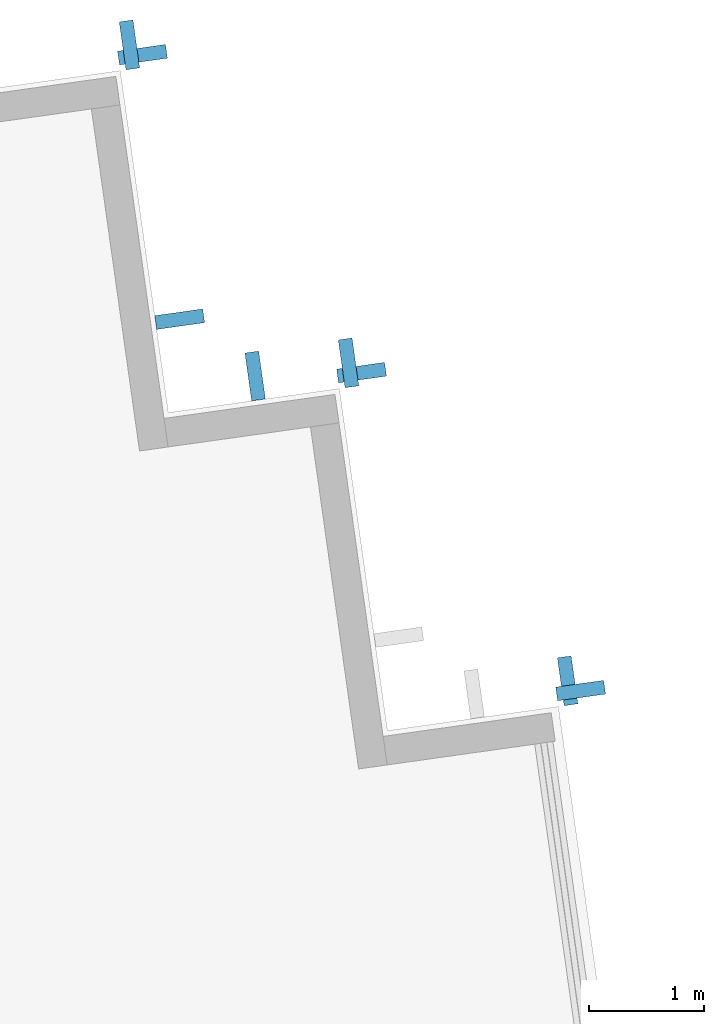
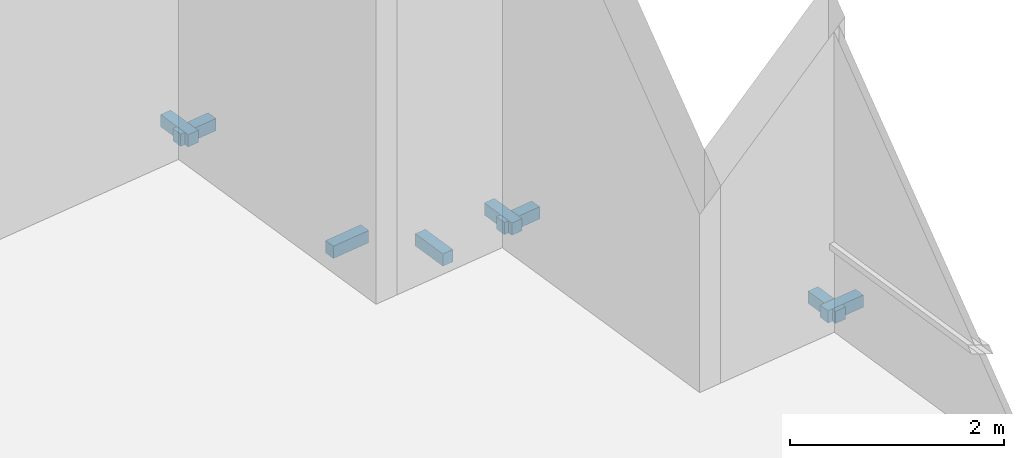
# One storey, part 13 of 14: 8 discrete accessories.
"""IFC4 building model written with IfcOpenShell, lengths in metres."""

from ifc_helpers import new_model, si_unit, direction, frame, origin, origin_2d, place, context, subcontext, project, spatial, rectangle, extrude, element, save


model = new_model("IFC4")

# Units and contexts
model_context = context("Model", 3, precision=1e-05, world=origin(), true_north=direction((0.0, 1.0)))
body_context = subcontext(model_context, "Body", "Model", "MODEL_VIEW")
ifc_project = project(units=[si_unit("LENGTHUNIT", "METRE"), si_unit("AREAUNIT", "SQUARE_METRE"), si_unit("VOLUMEUNIT", "CUBIC_METRE"), si_unit("PLANEANGLEUNIT", "RADIAN"), si_unit("MASSUNIT", "GRAM", prefix="KILO")], contexts=[model_context])

# Site, building, storey
site_placement = place(None, origin())
site = spatial("IfcSite", under=ifc_project, at=site_placement, CompositionType="ELEMENT")
building_placement = place(site_placement, origin())
building = spatial("IfcBuilding", under=site, at=building_placement, Name="Rattan Terrace Tower", CompositionType="ELEMENT")
storey_placement = place(building_placement, frame((0.0, 0.0, 229.10009765625)))
storey = spatial("IfcBuildingStorey", under=building, at=storey_placement, Name="L52", CompositionType="ELEMENT", Elevation=229.10009765625)

# Discrete accessories
for number, where, z_axis, x_axis, name in (
    (1, (28.560546875, 10.625244140625, -0.169921875), (0.0, 0.0, 1.0), (-0.139186165309, 0.990266232579, 0.0), "Panel bracket L52-14"),
    (2, (28.44775390625, 10.710205078125, -0.169921875), (0.0, 0.0, 1.0), (-0.990240767803, -0.139367219175, 0.0), "Panel bracket L52-15"),
    (3, (26.65771484375, 13.38720703125, -0.169921875), (0.0, 0.0, 1.0), (-0.139321220646, 0.990247240581, 0.0), "Panel bracket L52-18"),
    (4, (26.544677734375, 13.47216796875, -0.169921875), (0.0, 0.0, 1.0), (-0.990240767803, -0.139367219175, 0.0), "Panel bracket L52-19"),
    (5, (25.733154296875, 13.358154296875, -0.169921875), (0.0, 0.0, 1.0), (-0.990240767803, -0.139367219175, 0.0), "Panel bracket L52-20"),
    (6, (25.077880859375, 13.8515625, -0.169921875), (0.0, 0.0, 1.0), (-0.139321220646, 0.990247240581, 0.0), "Panel bracket L52-21"),
    (7, (24.754638671875, 16.14892578125, -0.169921875), (0.0, 0.0, 1.0), (-0.139321220646, 0.990247240581, 0.0), "Panel bracket L52-22"),
    (8, (24.6416015625, 16.234130859375, -0.169921875), (0.0, 0.0, 1.0), (-0.990293172258, -0.138994363123, 0.0), "Panel bracket L52-23"),
):
    element("IfcDiscreteAccessory", number, at=place(storey_placement, frame(where, z_axis=z_axis, x_axis=x_axis)), inside=storey, Name=name, PredefinedType="BRACKET", context=body_context, shape_type="SweptSolid", body=[
        extrude(rectangle(XDim=0.1201171875, YDim=0.419921875, at=origin_2d()), origin(), (0.0, 0.0, 1.0), 0.139892578125),
    ])

save(model, "model.ifc")
